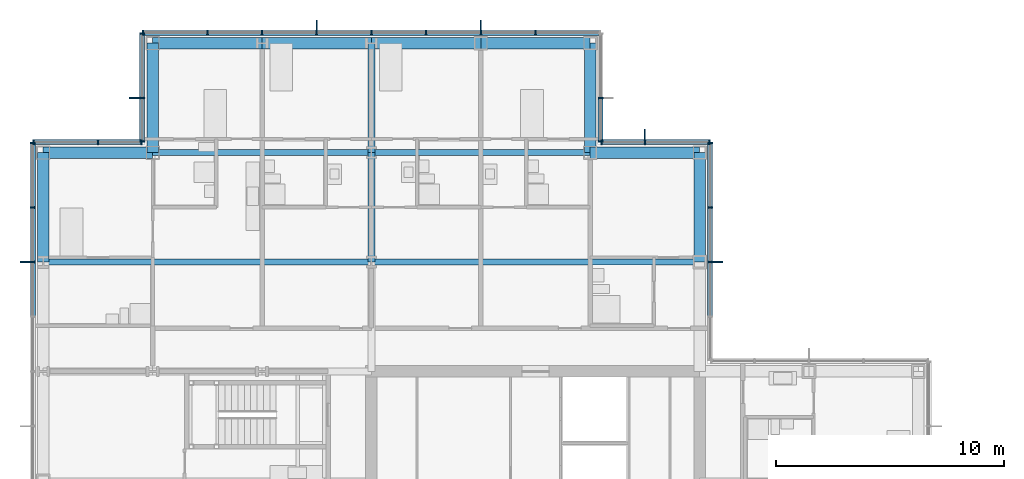
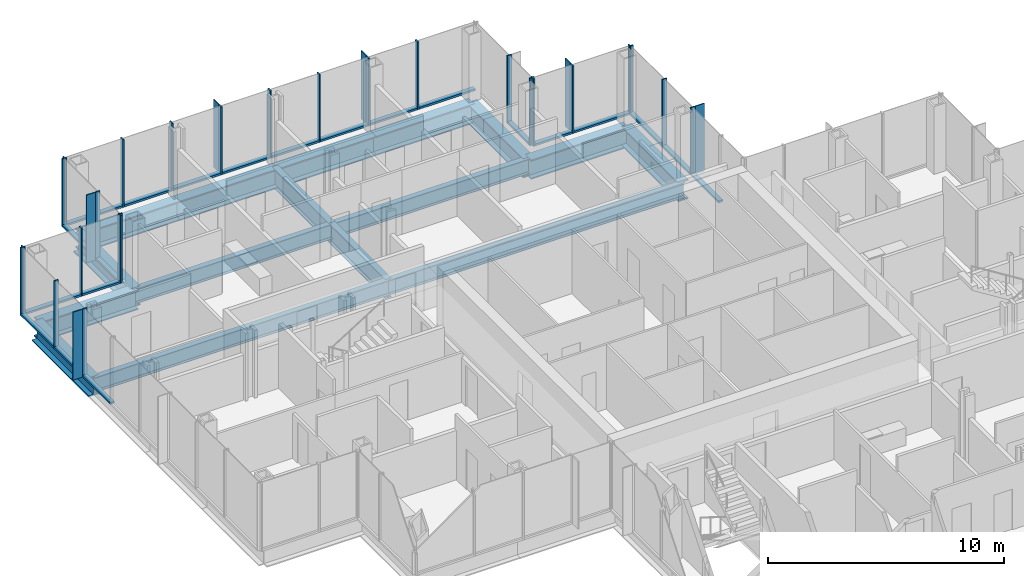
# One storey, part 10 of 20: 52 members, 16 beams, 7 elements without a shape of their own.
"""IFC4 building model written with IfcOpenShell, lengths in metres."""

from ifc_helpers import new_model, si_unit, direction, frame, origin, origin_2d, place, context, subcontext, project, spatial, rectangle, i_section, extrude, material, material_profile, profile_set, type_object, element, aggregate, save


model = new_model("IFC4")

# Units and contexts
model_context = context("Model", 3, precision=1e-05, world=origin(), true_north=direction((0.0, 1.0)))
body_context = subcontext(model_context, "Body", "Model", "MODEL_VIEW")
ifc_project = project(units=[si_unit("LENGTHUNIT", "METRE"), si_unit("AREAUNIT", "SQUARE_METRE"), si_unit("VOLUMEUNIT", "CUBIC_METRE"), si_unit("PLANEANGLEUNIT", "RADIAN"), si_unit("MASSUNIT", "GRAM", prefix="KILO")], contexts=[model_context])

# Site, building, storey
site_placement = place(None, origin())
site = spatial("IfcSite", under=ifc_project, at=site_placement, CompositionType="ELEMENT")
building_placement = place(site_placement, origin())
building = spatial("IfcBuilding", under=site, at=building_placement, Name="Kvirike Care Tower", CompositionType="ELEMENT")
storey_placement = place(building_placement, frame((0.0, 0.0, 115.5)))
storey = spatial("IfcBuildingStorey", under=building, at=storey_placement, Name="L31", CompositionType="ELEMENT", Elevation=115.5)

# Curtain wall, member
ifc_material_1 = material(Name="Anodised aluminium stick system", Category="aluminium")
curtain_wall_type = type_object("IfcCurtainWallType", Name="CW-B STICK CURTAIN WALL", PredefinedType="NOTDEFINED", material=ifc_material_1)
curtain_wall_1_placement = place(storey_placement, origin())
curtain_wall_1 = element("IfcCurtainWall", 1, at=curtain_wall_1_placement, inside=storey, type_object=curtain_wall_type, Name="Curtain wall L31 face 5", PredefinedType="NOTDEFINED")
ifc_material_2 = material(Name="Bronze anodised aluminium fin", Category="aluminium")
ifc_material_profile_1 = material_profile(ifc_material_2, rectangle(XDim=0.050048828125, YDim=0.449951171875, at=origin_2d()), Name="BRONZE FIN 450")
ifc_profile_set_1 = profile_set([ifc_material_profile_1], Name="Bronze anodised aluminium fin")
member_type_1 = type_object("IfcMemberType", Name="BRONZE FIN 450", PredefinedType="USERDEFINED", material=ifc_profile_set_1)
member_1_placement = place(storey_placement, frame((29.594970703125, 48.0, 0.0), z_axis=(0.0, 0.0, 1.0), x_axis=(0.0, 1.0, 0.0)))
member_1 = element("IfcMember", 2, at=member_1_placement, type_object=member_type_1, Name="Bronze fin L31 face 5.3", ObjectType="FIN", PredefinedType="USERDEFINED", context=body_context, shape_type="SweptSolid", body=[
    extrude(rectangle(XDim=0.050048828125, YDim=0.449951171875, at=origin_2d()), origin(), (0.0, 0.0, 1.0), 3.5),
])

curtain_wall_2_placement = place(storey_placement, origin())
curtain_wall_2 = element("IfcCurtainWall", 3, at=curtain_wall_2_placement, inside=storey, type_object=curtain_wall_type, Name="Curtain wall L31 face 6", PredefinedType="NOTDEFINED")
member_2_placement = place(storey_placement, frame((26.39990234375, 53.594970703125, 0.0), z_axis=(0.0, 0.0, 1.0), x_axis=(-1.0, 0.0, 0.0)))
member_2 = element("IfcMember", 4, at=member_2_placement, type_object=member_type_1, Name="Bronze fin L31 face 6.2", ObjectType="FIN", PredefinedType="USERDEFINED", context=body_context, shape_type="SweptSolid", body=[
    extrude(rectangle(XDim=0.050048828125, YDim=0.449951171875, at=origin_2d()), origin(), (0.0, 0.0, 1.0), 3.5),
])

# Curtain wall, members
curtain_wall_3_placement = place(storey_placement, origin())
curtain_wall_3 = element("IfcCurtainWall", 5, at=curtain_wall_3_placement, inside=storey, type_object=curtain_wall_type, Name="Curtain wall L31 face 8", PredefinedType="NOTDEFINED")
member_3_placement = place(storey_placement, frame((19.199951171875, 58.39501953125, 0.0), z_axis=(0.0, 0.0, 1.0), x_axis=(-1.0, 0.0, 0.0)))
member_3 = element("IfcMember", 6, at=member_3_placement, type_object=member_type_1, Name="Bronze fin L31 face 8.3", ObjectType="FIN", PredefinedType="USERDEFINED", context=body_context, shape_type="SweptSolid", body=[
    extrude(rectangle(XDim=0.050048828125, YDim=0.449951171875, at=origin_2d()), origin(), (0.0, 0.0, 1.0), 3.5),
])
member_4_placement = place(storey_placement, frame((12.0, 58.39501953125, 0.0), z_axis=(0.0, 0.0, 1.0), x_axis=(-1.0, 0.0, 0.0)))
member_4 = element("IfcMember", 7, at=member_4_placement, type_object=member_type_1, Name="Bronze fin L31 face 8.6", ObjectType="FIN", PredefinedType="USERDEFINED", context=body_context, shape_type="SweptSolid", body=[
    extrude(rectangle(XDim=0.050048828125, YDim=0.449951171875, at=origin_2d()), origin(), (0.0, 0.0, 1.0), 3.5),
])

# Curtain wall, member
curtain_wall_4_placement = place(storey_placement, origin())
curtain_wall_4 = element("IfcCurtainWall", 8, at=curtain_wall_4_placement, inside=storey, type_object=curtain_wall_type, Name="Curtain wall L31 face 9", PredefinedType="NOTDEFINED")
member_5_placement = place(storey_placement, frame((4.0048828125, 55.199951171875, 0.0), z_axis=(0.0, 0.0, 1.0), x_axis=(0.0, -1.0, 0.0)))
member_5 = element("IfcMember", 9, at=member_5_placement, type_object=member_type_1, Name="Bronze fin L31 face 9.2", ObjectType="FIN", PredefinedType="USERDEFINED", context=body_context, shape_type="SweptSolid", body=[
    extrude(rectangle(XDim=0.050048828125, YDim=0.449951171875, at=origin_2d()), origin(), (0.0, 0.0, 1.0), 3.5),
])

curtain_wall_5_placement = place(storey_placement, origin())
curtain_wall_5 = element("IfcCurtainWall", 10, at=curtain_wall_5_placement, inside=storey, type_object=curtain_wall_type, Name="Curtain wall L31 face 11", PredefinedType="NOTDEFINED")
member_6_placement = place(storey_placement, frame((-0.794921875, 48.0, 0.0), z_axis=(0.0, 0.0, 1.0), x_axis=(0.0, -1.0, 0.0)))
member_6 = element("IfcMember", 11, at=member_6_placement, type_object=member_type_1, Name="Bronze fin L31 face 11.3", ObjectType="FIN", PredefinedType="USERDEFINED", context=body_context, shape_type="SweptSolid", body=[
    extrude(rectangle(XDim=0.050048828125, YDim=0.449951171875, at=origin_2d()), origin(), (0.0, 0.0, 1.0), 3.5),
])

# Member
ifc_material_3 = material(Name="Bronze anodised aluminium mullion", Category="aluminium")
ifc_material_profile_2 = material_profile(ifc_material_3, rectangle(XDim=0.06494140625, YDim=0.219970703125, at=origin_2d()), Name="CW-B MULLION 65x220")
ifc_profile_set_2 = profile_set([ifc_material_profile_2], Name="Bronze anodised aluminium mullion")
member_type_2 = type_object("IfcMemberType", Name="CW-B MULLION 65x220", PredefinedType="MULLION", material=ifc_profile_set_2)
member_7_placement = place(storey_placement, frame((29.260009765625, 48.0, 0.0), z_axis=(0.0, 0.0, 1.0), x_axis=(0.0, 1.0, 0.0)))
member_7 = element("IfcMember", 12, at=member_7_placement, type_object=member_type_2, Name="CW-B mullion L31 face 5.3", PredefinedType="MULLION", context=body_context, shape_type="SweptSolid", body=[
    extrude(rectangle(XDim=0.06494140625, YDim=0.219970703125, at=origin_2d()), origin(), (0.0, 0.0, 1.0), 3.5),
])

member_8_placement = place(storey_placement, frame((29.260009765625, 50.39990234375, 0.0), z_axis=(0.0, 0.0, 1.0), x_axis=(0.0, 1.0, 0.0)))
member_8 = element("IfcMember", 13, at=member_8_placement, type_object=member_type_2, Name="CW-B mullion L31 face 5.4", PredefinedType="MULLION", context=body_context, shape_type="SweptSolid", body=[
    extrude(rectangle(XDim=0.06494140625, YDim=0.219970703125, at=origin_2d()), origin(), (0.0, 0.0, 1.0), 3.5),
])

member_9_placement = place(storey_placement, frame((29.260009765625, 53.2275390625, 0.0), z_axis=(0.0, 0.0, 1.0), x_axis=(0.0, 1.0, 0.0)))
member_9 = element("IfcMember", 14, at=member_9_placement, type_object=member_type_2, Name="CW-B mullion L31 face 5.5", PredefinedType="MULLION", context=body_context, shape_type="SweptSolid", body=[
    extrude(rectangle(XDim=0.06494140625, YDim=0.219970703125, at=origin_2d()), origin(), (0.0, 0.0, 1.0), 3.5),
])

member_10_placement = place(storey_placement, frame((29.2275390625, 53.260009765625, 0.0), z_axis=(0.0, 0.0, 1.0), x_axis=(-1.0, 0.0, 0.0)))
member_10 = element("IfcMember", 15, at=member_10_placement, type_object=member_type_2, Name="CW-B mullion L31 face 6.1", PredefinedType="MULLION", context=body_context, shape_type="SweptSolid", body=[
    extrude(rectangle(XDim=0.06494140625, YDim=0.219970703125, at=origin_2d()), origin(), (0.0, 0.0, 1.0), 3.5),
])

member_11_placement = place(storey_placement, frame((26.39990234375, 53.260009765625, 0.0), z_axis=(0.0, 0.0, 1.0), x_axis=(-1.0, 0.0, 0.0)))
member_11 = element("IfcMember", 16, at=member_11_placement, type_object=member_type_2, Name="CW-B mullion L31 face 6.2", PredefinedType="MULLION", context=body_context, shape_type="SweptSolid", body=[
    extrude(rectangle(XDim=0.06494140625, YDim=0.219970703125, at=origin_2d()), origin(), (0.0, 0.0, 1.0), 3.5),
])

member_12_placement = place(storey_placement, frame((24.492431640625, 53.260009765625, 0.0), z_axis=(0.0, 0.0, 1.0), x_axis=(-1.0, 0.0, 0.0)))
member_12 = element("IfcMember", 17, at=member_12_placement, type_object=member_type_2, Name="CW-B mullion L31 face 6.3", PredefinedType="MULLION", context=body_context, shape_type="SweptSolid", body=[
    extrude(rectangle(XDim=0.06494140625, YDim=0.219970703125, at=origin_2d()), origin(), (0.0, 0.0, 1.0), 3.5),
])

# Curtain wall, members
curtain_wall_6_placement = place(storey_placement, origin())
curtain_wall_6 = element("IfcCurtainWall", 18, at=curtain_wall_6_placement, inside=storey, type_object=curtain_wall_type, Name="Curtain wall L31 face 7", PredefinedType="NOTDEFINED")
member_13_placement = place(storey_placement, frame((24.4599609375, 53.29248046875, 0.0), z_axis=(0.0, 0.0, 1.0), x_axis=(0.0, 1.0, 0.0)))
member_13 = element("IfcMember", 19, at=member_13_placement, type_object=member_type_2, Name="CW-B mullion L31 face 7.1", PredefinedType="MULLION", context=body_context, shape_type="SweptSolid", body=[
    extrude(rectangle(XDim=0.06494140625, YDim=0.219970703125, at=origin_2d()), origin(), (0.0, 0.0, 1.0), 3.5),
])
member_14_placement = place(storey_placement, frame((24.4599609375, 55.199951171875, 0.0), z_axis=(0.0, 0.0, 1.0), x_axis=(0.0, 1.0, 0.0)))
member_14 = element("IfcMember", 20, at=member_14_placement, type_object=member_type_2, Name="CW-B mullion L31 face 7.2", PredefinedType="MULLION", context=body_context, shape_type="SweptSolid", body=[
    extrude(rectangle(XDim=0.06494140625, YDim=0.219970703125, at=origin_2d()), origin(), (0.0, 0.0, 1.0), 3.5),
])

# Member
member_15_placement = place(storey_placement, frame((21.60009765625, 58.06005859375, 0.0), z_axis=(0.0, 0.0, 1.0), x_axis=(-1.0, 0.0, 0.0)))
member_15 = element("IfcMember", 21, at=member_15_placement, type_object=member_type_2, Name="CW-B mullion L31 face 8.2", PredefinedType="MULLION", context=body_context, shape_type="SweptSolid", body=[
    extrude(rectangle(XDim=0.06494140625, YDim=0.219970703125, at=origin_2d()), origin(), (0.0, 0.0, 1.0), 3.5),
])

member_16_placement = place(storey_placement, frame((19.199951171875, 58.06005859375, 0.0), z_axis=(0.0, 0.0, 1.0), x_axis=(-1.0, 0.0, 0.0)))
member_16 = element("IfcMember", 22, at=member_16_placement, type_object=member_type_2, Name="CW-B mullion L31 face 8.3", PredefinedType="MULLION", context=body_context, shape_type="SweptSolid", body=[
    extrude(rectangle(XDim=0.06494140625, YDim=0.219970703125, at=origin_2d()), origin(), (0.0, 0.0, 1.0), 3.5),
])

member_17_placement = place(storey_placement, frame((16.800048828125, 58.06005859375, 0.0), z_axis=(0.0, 0.0, 1.0), x_axis=(-1.0, 0.0, 0.0)))
member_17 = element("IfcMember", 23, at=member_17_placement, type_object=member_type_2, Name="CW-B mullion L31 face 8.4", PredefinedType="MULLION", context=body_context, shape_type="SweptSolid", body=[
    extrude(rectangle(XDim=0.06494140625, YDim=0.219970703125, at=origin_2d()), origin(), (0.0, 0.0, 1.0), 3.5),
])

member_18_placement = place(storey_placement, frame((14.39990234375, 58.06005859375, 0.0), z_axis=(0.0, 0.0, 1.0), x_axis=(-1.0, 0.0, 0.0)))
member_18 = element("IfcMember", 24, at=member_18_placement, type_object=member_type_2, Name="CW-B mullion L31 face 8.5", PredefinedType="MULLION", context=body_context, shape_type="SweptSolid", body=[
    extrude(rectangle(XDim=0.06494140625, YDim=0.219970703125, at=origin_2d()), origin(), (0.0, 0.0, 1.0), 3.5),
])

member_19_placement = place(storey_placement, frame((12.0, 58.06005859375, 0.0), z_axis=(0.0, 0.0, 1.0), x_axis=(-1.0, 0.0, 0.0)))
member_19 = element("IfcMember", 25, at=member_19_placement, type_object=member_type_2, Name="CW-B mullion L31 face 8.6", PredefinedType="MULLION", context=body_context, shape_type="SweptSolid", body=[
    extrude(rectangle(XDim=0.06494140625, YDim=0.219970703125, at=origin_2d()), origin(), (0.0, 0.0, 1.0), 3.5),
])

member_20_placement = place(storey_placement, frame((9.60009765625, 58.06005859375, 0.0), z_axis=(0.0, 0.0, 1.0), x_axis=(-1.0, 0.0, 0.0)))
member_20 = element("IfcMember", 26, at=member_20_placement, type_object=member_type_2, Name="CW-B mullion L31 face 8.7", PredefinedType="MULLION", context=body_context, shape_type="SweptSolid", body=[
    extrude(rectangle(XDim=0.06494140625, YDim=0.219970703125, at=origin_2d()), origin(), (0.0, 0.0, 1.0), 3.5),
])

member_21_placement = place(storey_placement, frame((7.199951171875, 58.06005859375, 0.0), z_axis=(0.0, 0.0, 1.0), x_axis=(-1.0, 0.0, 0.0)))
member_21 = element("IfcMember", 27, at=member_21_placement, type_object=member_type_2, Name="CW-B mullion L31 face 8.8", PredefinedType="MULLION", context=body_context, shape_type="SweptSolid", body=[
    extrude(rectangle(XDim=0.06494140625, YDim=0.219970703125, at=origin_2d()), origin(), (0.0, 0.0, 1.0), 3.5),
])

member_22_placement = place(storey_placement, frame((4.37255859375, 58.06005859375, 0.0), z_axis=(0.0, 0.0, 1.0), x_axis=(-1.0, 0.0, 0.0)))
member_22 = element("IfcMember", 28, at=member_22_placement, type_object=member_type_2, Name="CW-B mullion L31 face 8.9", PredefinedType="MULLION", context=body_context, shape_type="SweptSolid", body=[
    extrude(rectangle(XDim=0.06494140625, YDim=0.219970703125, at=origin_2d()), origin(), (0.0, 0.0, 1.0), 3.5),
])

member_23_placement = place(storey_placement, frame((4.340087890625, 58.027587890625, 0.0), z_axis=(0.0, 0.0, 1.0), x_axis=(0.0, -1.0, 0.0)))
member_23 = element("IfcMember", 29, at=member_23_placement, type_object=member_type_2, Name="CW-B mullion L31 face 9.1", PredefinedType="MULLION", context=body_context, shape_type="SweptSolid", body=[
    extrude(rectangle(XDim=0.06494140625, YDim=0.219970703125, at=origin_2d()), origin(), (0.0, 0.0, 1.0), 3.5),
])

member_24_placement = place(storey_placement, frame((4.340087890625, 55.199951171875, 0.0), z_axis=(0.0, 0.0, 1.0), x_axis=(0.0, -1.0, 0.0)))
member_24 = element("IfcMember", 30, at=member_24_placement, type_object=member_type_2, Name="CW-B mullion L31 face 9.2", PredefinedType="MULLION", context=body_context, shape_type="SweptSolid", body=[
    extrude(rectangle(XDim=0.06494140625, YDim=0.219970703125, at=origin_2d()), origin(), (0.0, 0.0, 1.0), 3.5),
])

member_25_placement = place(storey_placement, frame((4.340087890625, 53.29248046875, 0.0), z_axis=(0.0, 0.0, 1.0), x_axis=(0.0, -1.0, 0.0)))
member_25 = element("IfcMember", 31, at=member_25_placement, type_object=member_type_2, Name="CW-B mullion L31 face 9.3", PredefinedType="MULLION", context=body_context, shape_type="SweptSolid", body=[
    extrude(rectangle(XDim=0.06494140625, YDim=0.219970703125, at=origin_2d()), origin(), (0.0, 0.0, 1.0), 3.5),
])

# Curtain wall, members
curtain_wall_7_placement = place(storey_placement, origin())
curtain_wall_7 = element("IfcCurtainWall", 32, at=curtain_wall_7_placement, inside=storey, type_object=curtain_wall_type, Name="Curtain wall L31 face 10", PredefinedType="NOTDEFINED")
member_26_placement = place(storey_placement, frame((4.3076171875, 53.260009765625, 0.0), z_axis=(0.0, 0.0, 1.0), x_axis=(-1.0, 0.0, 0.0)))
member_26 = element("IfcMember", 33, at=member_26_placement, type_object=member_type_2, Name="CW-B mullion L31 face 10.1", PredefinedType="MULLION", context=body_context, shape_type="SweptSolid", body=[
    extrude(rectangle(XDim=0.06494140625, YDim=0.219970703125, at=origin_2d()), origin(), (0.0, 0.0, 1.0), 3.5),
])
member_27_placement = place(storey_placement, frame((2.39990234375, 53.260009765625, 0.0), z_axis=(0.0, 0.0, 1.0), x_axis=(-1.0, 0.0, 0.0)))
member_27 = element("IfcMember", 34, at=member_27_placement, type_object=member_type_2, Name="CW-B mullion L31 face 10.2", PredefinedType="MULLION", context=body_context, shape_type="SweptSolid", body=[
    extrude(rectangle(XDim=0.06494140625, YDim=0.219970703125, at=origin_2d()), origin(), (0.0, 0.0, 1.0), 3.5),
])
member_28_placement = place(storey_placement, frame((-0.427490234375, 53.260009765625, 0.0), z_axis=(0.0, 0.0, 1.0), x_axis=(-1.0, 0.0, 0.0)))
member_28 = element("IfcMember", 35, at=member_28_placement, type_object=member_type_2, Name="CW-B mullion L31 face 10.3", PredefinedType="MULLION", context=body_context, shape_type="SweptSolid", body=[
    extrude(rectangle(XDim=0.06494140625, YDim=0.219970703125, at=origin_2d()), origin(), (0.0, 0.0, 1.0), 3.5),
])

# Member
member_29_placement = place(storey_placement, frame((-0.4599609375, 53.2275390625, 0.0), z_axis=(0.0, 0.0, 1.0), x_axis=(0.0, -1.0, 0.0)))
member_29 = element("IfcMember", 36, at=member_29_placement, type_object=member_type_2, Name="CW-B mullion L31 face 11.1", PredefinedType="MULLION", context=body_context, shape_type="SweptSolid", body=[
    extrude(rectangle(XDim=0.06494140625, YDim=0.219970703125, at=origin_2d()), origin(), (0.0, 0.0, 1.0), 3.5),
])

member_30_placement = place(storey_placement, frame((-0.4599609375, 50.39990234375, 0.0), z_axis=(0.0, 0.0, 1.0), x_axis=(0.0, -1.0, 0.0)))
member_30 = element("IfcMember", 37, at=member_30_placement, type_object=member_type_2, Name="CW-B mullion L31 face 11.2", PredefinedType="MULLION", context=body_context, shape_type="SweptSolid", body=[
    extrude(rectangle(XDim=0.06494140625, YDim=0.219970703125, at=origin_2d()), origin(), (0.0, 0.0, 1.0), 3.5),
])

member_31_placement = place(storey_placement, frame((-0.4599609375, 48.0, 0.0), z_axis=(0.0, 0.0, 1.0), x_axis=(0.0, -1.0, 0.0)))
member_31 = element("IfcMember", 38, at=member_31_placement, type_object=member_type_2, Name="CW-B mullion L31 face 11.3", PredefinedType="MULLION", context=body_context, shape_type="SweptSolid", body=[
    extrude(rectangle(XDim=0.06494140625, YDim=0.219970703125, at=origin_2d()), origin(), (0.0, 0.0, 1.0), 3.5),
])

ifc_material_4 = material(Name="Bronze anodised aluminium transom", Category="aluminium")
ifc_material_profile_3 = material_profile(ifc_material_4, rectangle(XDim=0.219970703125, YDim=0.10009765625, at=origin_2d()), Name="CW-B TRANSOM 220x100")
ifc_profile_set_3 = profile_set([ifc_material_profile_3], Name="Bronze anodised aluminium transom")
member_type_3 = type_object("IfcMemberType", Name="CW-B TRANSOM 220x100", PredefinedType="USERDEFINED", material=ifc_profile_set_3)
member_32_placement = place(storey_placement, frame((29.260009765625, 45.632568359375, 0.050048828125), z_axis=(0.0, 1.0, 0.0), x_axis=(-1.0, 0.0, 0.0)))
member_32 = element("IfcMember", 39, at=member_32_placement, type_object=member_type_3, Name="CW-B sill transom L31 face 5.2", ObjectType="TRANSOM", PredefinedType="USERDEFINED", context=body_context, shape_type="SweptSolid", body=[
    extrude(rectangle(XDim=0.219970703125, YDim=0.10009765625, at=origin_2d()), origin(), (0.0, 0.0, 1.0), 2.3349609375),
])

member_33_placement = place(storey_placement, frame((29.260009765625, 48.032470703125, 0.050048828125), z_axis=(0.0, 1.0, 0.0), x_axis=(-1.0, 0.0, 0.0)))
member_33 = element("IfcMember", 40, at=member_33_placement, type_object=member_type_3, Name="CW-B sill transom L31 face 5.3", ObjectType="TRANSOM", PredefinedType="USERDEFINED", context=body_context, shape_type="SweptSolid", body=[
    extrude(rectangle(XDim=0.219970703125, YDim=0.10009765625, at=origin_2d()), origin(), (0.0, 0.0, 1.0), 2.3349609375),
])

member_34_placement = place(storey_placement, frame((29.260009765625, 50.4326171875, 0.050048828125), z_axis=(0.0, 1.0, 0.0), x_axis=(-1.0, 0.0, 0.0)))
member_34 = element("IfcMember", 41, at=member_34_placement, type_object=member_type_3, Name="CW-B sill transom L31 face 5.4", ObjectType="TRANSOM", PredefinedType="USERDEFINED", context=body_context, shape_type="SweptSolid", body=[
    extrude(rectangle(XDim=0.219970703125, YDim=0.10009765625, at=origin_2d()), origin(), (0.0, 0.0, 1.0), 2.762451171875),
])

aggregate(curtain_wall_1, [member_7, member_1, member_8, member_9, member_32, member_33, member_34])

member_35_placement = place(storey_placement, frame((29.195068359375, 53.260009765625, 0.050048828125), z_axis=(-1.0, 0.0, 0.0), x_axis=(0.0, -1.0, 0.0)))
member_35 = element("IfcMember", 42, at=member_35_placement, type_object=member_type_3, Name="CW-B sill transom L31 face 6.1", ObjectType="TRANSOM", PredefinedType="USERDEFINED", context=body_context, shape_type="SweptSolid", body=[
    extrude(rectangle(XDim=0.219970703125, YDim=0.10009765625, at=origin_2d()), origin(), (0.0, 0.0, 1.0), 2.762451171875),
])

member_36_placement = place(storey_placement, frame((26.367431640625, 53.260009765625, 0.050048828125), z_axis=(-1.0, 0.0, 0.0), x_axis=(0.0, -1.0, 0.0)))
member_36 = element("IfcMember", 43, at=member_36_placement, type_object=member_type_3, Name="CW-B sill transom L31 face 6.2", ObjectType="TRANSOM", PredefinedType="USERDEFINED", context=body_context, shape_type="SweptSolid", body=[
    extrude(rectangle(XDim=0.219970703125, YDim=0.10009765625, at=origin_2d()), origin(), (0.0, 0.0, 1.0), 1.842529296875),
])

aggregate(curtain_wall_2, [member_10, member_11, member_2, member_12, member_35, member_36])

member_37_placement = place(storey_placement, frame((24.4599609375, 53.324951171875, 0.050048828125), z_axis=(0.0, 1.0, 0.0), x_axis=(-1.0, 0.0, 0.0)))
member_37 = element("IfcMember", 44, at=member_37_placement, type_object=member_type_3, Name="CW-B sill transom L31 face 7.1", ObjectType="TRANSOM", PredefinedType="USERDEFINED", context=body_context, shape_type="SweptSolid", body=[
    extrude(rectangle(XDim=0.219970703125, YDim=0.10009765625, at=origin_2d()), origin(), (0.0, 0.0, 1.0), 1.842529296875),
])

aggregate(curtain_wall_6, [member_13, member_14, member_37])

member_38_placement = place(storey_placement, frame((24.39501953125, 58.06005859375, 0.050048828125), z_axis=(-1.0, 0.0, 0.0), x_axis=(0.0, -1.0, 0.0)))
member_38 = element("IfcMember", 45, at=member_38_placement, type_object=member_type_3, Name="CW-B sill transom L31 face 8.1", ObjectType="TRANSOM", PredefinedType="USERDEFINED", context=body_context, shape_type="SweptSolid", body=[
    extrude(rectangle(XDim=0.219970703125, YDim=0.10009765625, at=origin_2d()), origin(), (0.0, 0.0, 1.0), 2.762451171875),
])

member_39_placement = place(storey_placement, frame((21.5673828125, 58.06005859375, 0.050048828125), z_axis=(-1.0, 0.0, 0.0), x_axis=(0.0, -1.0, 0.0)))
member_39 = element("IfcMember", 46, at=member_39_placement, type_object=member_type_3, Name="CW-B sill transom L31 face 8.2", ObjectType="TRANSOM", PredefinedType="USERDEFINED", context=body_context, shape_type="SweptSolid", body=[
    extrude(rectangle(XDim=0.219970703125, YDim=0.10009765625, at=origin_2d()), origin(), (0.0, 0.0, 1.0), 2.3349609375),
])

member_40_placement = place(storey_placement, frame((19.16748046875, 58.06005859375, 0.050048828125), z_axis=(-1.0, 0.0, 0.0), x_axis=(0.0, -1.0, 0.0)))
member_40 = element("IfcMember", 47, at=member_40_placement, type_object=member_type_3, Name="CW-B sill transom L31 face 8.3", ObjectType="TRANSOM", PredefinedType="USERDEFINED", context=body_context, shape_type="SweptSolid", body=[
    extrude(rectangle(XDim=0.219970703125, YDim=0.10009765625, at=origin_2d()), origin(), (0.0, 0.0, 1.0), 2.3349609375),
])

member_41_placement = place(storey_placement, frame((16.767578125, 58.06005859375, 0.050048828125), z_axis=(-1.0, 0.0, 0.0), x_axis=(0.0, -1.0, 0.0)))
member_41 = element("IfcMember", 48, at=member_41_placement, type_object=member_type_3, Name="CW-B sill transom L31 face 8.4", ObjectType="TRANSOM", PredefinedType="USERDEFINED", context=body_context, shape_type="SweptSolid", body=[
    extrude(rectangle(XDim=0.219970703125, YDim=0.10009765625, at=origin_2d()), origin(), (0.0, 0.0, 1.0), 2.3349609375),
])

member_42_placement = place(storey_placement, frame((14.367431640625, 58.06005859375, 0.050048828125), z_axis=(-1.0, 0.0, 0.0), x_axis=(0.0, -1.0, 0.0)))
member_42 = element("IfcMember", 49, at=member_42_placement, type_object=member_type_3, Name="CW-B sill transom L31 face 8.5", ObjectType="TRANSOM", PredefinedType="USERDEFINED", context=body_context, shape_type="SweptSolid", body=[
    extrude(rectangle(XDim=0.219970703125, YDim=0.10009765625, at=origin_2d()), origin(), (0.0, 0.0, 1.0), 2.3349609375),
])

member_43_placement = place(storey_placement, frame((11.967529296875, 58.06005859375, 0.050048828125), z_axis=(-1.0, 0.0, 0.0), x_axis=(0.0, -1.0, 0.0)))
member_43 = element("IfcMember", 50, at=member_43_placement, type_object=member_type_3, Name="CW-B sill transom L31 face 8.6", ObjectType="TRANSOM", PredefinedType="USERDEFINED", context=body_context, shape_type="SweptSolid", body=[
    extrude(rectangle(XDim=0.219970703125, YDim=0.10009765625, at=origin_2d()), origin(), (0.0, 0.0, 1.0), 2.3349609375),
])

member_44_placement = place(storey_placement, frame((9.5673828125, 58.06005859375, 0.050048828125), z_axis=(-1.0, 0.0, 0.0), x_axis=(0.0, -1.0, 0.0)))
member_44 = element("IfcMember", 51, at=member_44_placement, type_object=member_type_3, Name="CW-B sill transom L31 face 8.7", ObjectType="TRANSOM", PredefinedType="USERDEFINED", context=body_context, shape_type="SweptSolid", body=[
    extrude(rectangle(XDim=0.219970703125, YDim=0.10009765625, at=origin_2d()), origin(), (0.0, 0.0, 1.0), 2.3349609375),
])

member_45_placement = place(storey_placement, frame((7.16748046875, 58.06005859375, 0.050048828125), z_axis=(-1.0, 0.0, 0.0), x_axis=(0.0, -1.0, 0.0)))
member_45 = element("IfcMember", 52, at=member_45_placement, type_object=member_type_3, Name="CW-B sill transom L31 face 8.8", ObjectType="TRANSOM", PredefinedType="USERDEFINED", context=body_context, shape_type="SweptSolid", body=[
    extrude(rectangle(XDim=0.219970703125, YDim=0.10009765625, at=origin_2d()), origin(), (0.0, 0.0, 1.0), 2.762451171875),
])

aggregate(curtain_wall_3, [member_15, member_16, member_3, member_17, member_18, member_19, member_4, member_20, member_21, member_22, member_38, member_39, member_40, member_41, member_42, member_43, member_44, member_45])

member_46_placement = place(storey_placement, frame((4.340087890625, 57.9951171875, 0.050048828125), z_axis=(0.0, -1.0, 0.0), x_axis=(1.0, 0.0, 0.0)))
member_46 = element("IfcMember", 53, at=member_46_placement, type_object=member_type_3, Name="CW-B sill transom L31 face 9.1", ObjectType="TRANSOM", PredefinedType="USERDEFINED", context=body_context, shape_type="SweptSolid", body=[
    extrude(rectangle(XDim=0.219970703125, YDim=0.10009765625, at=origin_2d()), origin(), (0.0, 0.0, 1.0), 2.7626953125),
])

member_47_placement = place(storey_placement, frame((4.340087890625, 55.16748046875, 0.050048828125), z_axis=(0.0, -1.0, 0.0), x_axis=(1.0, 0.0, 0.0)))
member_47 = element("IfcMember", 54, at=member_47_placement, type_object=member_type_3, Name="CW-B sill transom L31 face 9.2", ObjectType="TRANSOM", PredefinedType="USERDEFINED", context=body_context, shape_type="SweptSolid", body=[
    extrude(rectangle(XDim=0.219970703125, YDim=0.10009765625, at=origin_2d()), origin(), (0.0, 0.0, 1.0), 1.842529296875),
])

aggregate(curtain_wall_4, [member_23, member_24, member_5, member_25, member_46, member_47])

member_48_placement = place(storey_placement, frame((4.27490234375, 53.260009765625, 0.050048828125), z_axis=(-1.0, 0.0, 0.0), x_axis=(0.0, -1.0, 0.0)))
member_48 = element("IfcMember", 55, at=member_48_placement, type_object=member_type_3, Name="CW-B sill transom L31 face 10.1", ObjectType="TRANSOM", PredefinedType="USERDEFINED", context=body_context, shape_type="SweptSolid", body=[
    extrude(rectangle(XDim=0.219970703125, YDim=0.10009765625, at=origin_2d()), origin(), (0.0, 0.0, 1.0), 1.84228515625),
])

member_49_placement = place(storey_placement, frame((2.367431640625, 53.260009765625, 0.050048828125), z_axis=(-1.0, 0.0, 0.0), x_axis=(0.0, -1.0, 0.0)))
member_49 = element("IfcMember", 56, at=member_49_placement, type_object=member_type_3, Name="CW-B sill transom L31 face 10.2", ObjectType="TRANSOM", PredefinedType="USERDEFINED", context=body_context, shape_type="SweptSolid", body=[
    extrude(rectangle(XDim=0.219970703125, YDim=0.10009765625, at=origin_2d()), origin(), (0.0, 0.0, 1.0), 2.762451171875),
])

aggregate(curtain_wall_7, [member_26, member_27, member_28, member_48, member_49])

member_50_placement = place(storey_placement, frame((-0.4599609375, 53.195068359375, 0.050048828125), z_axis=(0.0, -1.0, 0.0), x_axis=(1.0, 0.0, 0.0)))
member_50 = element("IfcMember", 57, at=member_50_placement, type_object=member_type_3, Name="CW-B sill transom L31 face 11.1", ObjectType="TRANSOM", PredefinedType="USERDEFINED", context=body_context, shape_type="SweptSolid", body=[
    extrude(rectangle(XDim=0.219970703125, YDim=0.10009765625, at=origin_2d()), origin(), (0.0, 0.0, 1.0), 2.762451171875),
])

member_51_placement = place(storey_placement, frame((-0.4599609375, 50.367431640625, 0.050048828125), z_axis=(0.0, -1.0, 0.0), x_axis=(1.0, 0.0, 0.0)))
member_51 = element("IfcMember", 58, at=member_51_placement, type_object=member_type_3, Name="CW-B sill transom L31 face 11.2", ObjectType="TRANSOM", PredefinedType="USERDEFINED", context=body_context, shape_type="SweptSolid", body=[
    extrude(rectangle(XDim=0.219970703125, YDim=0.10009765625, at=origin_2d()), origin(), (0.0, 0.0, 1.0), 2.3349609375),
])

member_52_placement = place(storey_placement, frame((-0.4599609375, 47.967529296875, 0.050048828125), z_axis=(0.0, -1.0, 0.0), x_axis=(1.0, 0.0, 0.0)))
member_52 = element("IfcMember", 59, at=member_52_placement, type_object=member_type_3, Name="CW-B sill transom L31 face 11.3", ObjectType="TRANSOM", PredefinedType="USERDEFINED", context=body_context, shape_type="SweptSolid", body=[
    extrude(rectangle(XDim=0.219970703125, YDim=0.10009765625, at=origin_2d()), origin(), (0.0, 0.0, 1.0), 2.3349609375),
])

aggregate(curtain_wall_5, [member_29, member_30, member_31, member_6, member_50, member_51, member_52])

# Beams
ifc_material_5 = material(Name="Steel S355", Category="steel")
ifc_material_profile_4 = material_profile(ifc_material_5, i_section(OverallWidth=0.26806640625, OverallDepth=0.77001953125, WebThickness=0.015625, FlangeThickness=0.025390625, FilletRadius=0.01708984375, at=origin_2d()), Name="IPE 750x196")
ifc_profile_set_4 = profile_set([ifc_material_profile_4], Name="Steel S355")
beam_type_1 = type_object("IfcBeamType", Name="FLOOR BEAM IPE 750x196", PredefinedType="BEAM", material=ifc_profile_set_4)
beam_1_placement = place(storey_placement, frame((0.0, 48.0, -0.554931640625), z_axis=(1.0, 0.0, 0.0), x_axis=(0.0, 1.0, 0.0)))
element("IfcBeam", 60, at=beam_1_placement, inside=storey, type_object=beam_type_1, Name="Floor Beam L3-L6 L31", PredefinedType="BEAM", context=body_context, shape_type="SweptSolid", body=[
    extrude(i_section(OverallWidth=0.26806640625, OverallDepth=0.77001953125, WebThickness=0.015625, FlangeThickness=0.025390625, FilletRadius=0.01708984375, at=origin_2d()), origin(), (0.0, 0.0, 1.0), 14.39990234375),
])
beam_2_placement = place(storey_placement, frame((14.39990234375, 48.0, -0.554931640625), z_axis=(1.0, 0.0, 0.0), x_axis=(0.0, 1.0, 0.0)))
element("IfcBeam", 61, at=beam_2_placement, inside=storey, type_object=beam_type_1, Name="Floor Beam L6-L9 L31", PredefinedType="BEAM", context=body_context, shape_type="SweptSolid", body=[
    extrude(i_section(OverallWidth=0.26806640625, OverallDepth=0.77001953125, WebThickness=0.015625, FlangeThickness=0.025390625, FilletRadius=0.01708984375, at=origin_2d()), origin(), (0.0, 0.0, 1.0), 14.400146484375),
])
beam_3_placement = place(storey_placement, frame((4.800048828125, 52.800048828125, -0.554931640625), z_axis=(1.0, 0.0, 0.0), x_axis=(0.0, 1.0, 0.0)))
element("IfcBeam", 62, at=beam_3_placement, inside=storey, type_object=beam_type_1, Name="Floor Beam M4-M6 L31", PredefinedType="BEAM", context=body_context, shape_type="SweptSolid", body=[
    extrude(i_section(OverallWidth=0.26806640625, OverallDepth=0.77001953125, WebThickness=0.015625, FlangeThickness=0.025390625, FilletRadius=0.01708984375, at=origin_2d()), origin(), (0.0, 0.0, 1.0), 9.599853515625),
])
beam_4_placement = place(storey_placement, frame((14.39990234375, 52.800048828125, -0.554931640625), z_axis=(1.0, 0.0, 0.0), x_axis=(0.0, 1.0, 0.0)))
element("IfcBeam", 63, at=beam_4_placement, inside=storey, type_object=beam_type_1, Name="Floor Beam M6-M8 L31", PredefinedType="BEAM", context=body_context, shape_type="SweptSolid", body=[
    extrude(i_section(OverallWidth=0.26806640625, OverallDepth=0.77001953125, WebThickness=0.015625, FlangeThickness=0.025390625, FilletRadius=0.01708984375, at=origin_2d()), origin(), (0.0, 0.0, 1.0), 9.60009765625),
])
ifc_material_6 = material(Name="Steel S355", Category="steel")
ifc_material_profile_5 = material_profile(ifc_material_6, i_section(OverallWidth=0.300048828125, OverallDepth=1.0, WebThickness=0.01904296875, FlangeThickness=0.035888671875, FilletRadius=0.030029296875, at=origin_2d()), Name="HE 1000 B")
ifc_profile_set_5 = profile_set([ifc_material_profile_5], Name="Steel S355")
beam_type_2 = type_object("IfcBeamType", Name="FRAME BEAM HE 1000 B", PredefinedType="BEAM", material=ifc_profile_set_5)
for number, where, z_axis, x_axis, name in (
    (64, (14.39990234375, 48.0, -0.669921875), (0.0, 1.0, 0.0), (-1.0, 0.0, 0.0), "Frame Beam L6-M6 L31"),
    (65, (14.39990234375, 52.800048828125, -0.669921875), (0.0, 1.0, 0.0), (-1.0, 0.0, 0.0), "Frame Beam M6-N6 L31"),
):
    element("IfcBeam", number, at=place(storey_placement, frame(where, z_axis=z_axis, x_axis=x_axis)), inside=storey, type_object=beam_type_2, Name=name, PredefinedType="BEAM", context=body_context, shape_type="SweptSolid", body=[
        extrude(i_section(OverallWidth=0.300048828125, OverallDepth=1.0, WebThickness=0.01904296875, FlangeThickness=0.035888671875, FilletRadius=0.030029296875, at=origin_2d()), origin(), (0.0, 0.0, 1.0), 4.800048828125),
    ])
ifc_material_7 = material(Name="Steel S355", Category="steel")
ifc_material_profile_6 = material_profile(ifc_material_7, i_section(OverallWidth=0.5, OverallDepth=1.0, WebThickness=0.030029296875, FlangeThickness=0.06005859375, at=origin_2d()), Name="PG 1000x500x30x60")
ifc_profile_set_6 = profile_set([ifc_material_profile_6], Name="Steel S355")
beam_type_3 = type_object("IfcBeamType", Name="SPANDREL PG 1000x500x30x60", PredefinedType="SPANDREL", material=ifc_profile_set_6)
for number, where, z_axis, x_axis, name in (
    (66, (0.0, 52.800048828125, -0.669921875), (1.0, 0.0, 0.0), (0.0, 1.0, 0.0), "Spandrel M3-M4 L31"),
    (67, (24.0, 52.800048828125, -0.669921875), (1.0, 0.0, 0.0), (0.0, 1.0, 0.0), "Spandrel M8-M9 L31"),
    (68, (4.800048828125, 57.60009765625, -0.669921875), (1.0, 0.0, 0.0), (0.0, 1.0, 0.0), "Spandrel N4-N5 L31"),
):
    element("IfcBeam", number, at=place(storey_placement, frame(where, z_axis=z_axis, x_axis=x_axis)), inside=storey, type_object=beam_type_3, Name=name, PredefinedType="SPANDREL", context=body_context, shape_type="SweptSolid", body=[
        extrude(i_section(OverallWidth=0.5, OverallDepth=1.0, WebThickness=0.030029296875, FlangeThickness=0.06005859375, at=origin_2d()), origin(), (0.0, 0.0, 1.0), 4.800048828125),
    ])
beam_5_placement = place(storey_placement, frame((9.60009765625, 57.60009765625, -0.669921875), z_axis=(1.0, 0.0, 0.0), x_axis=(0.0, 1.0, 0.0)))
element("IfcBeam", 69, at=beam_5_placement, inside=storey, type_object=beam_type_3, Name="Spandrel N5-N6 L31", PredefinedType="SPANDREL", context=body_context, shape_type="SweptSolid", body=[
    extrude(i_section(OverallWidth=0.5, OverallDepth=1.0, WebThickness=0.030029296875, FlangeThickness=0.06005859375, at=origin_2d()), origin(), (0.0, 0.0, 1.0), 4.7998046875),
])
for number, where, z_axis, x_axis, name in (
    (70, (14.39990234375, 57.60009765625, -0.669921875), (1.0, 0.0, 0.0), (0.0, 1.0, 0.0), "Spandrel N6-N7 L31"),
    (71, (19.199951171875, 57.60009765625, -0.669921875), (1.0, 0.0, 0.0), (0.0, 1.0, 0.0), "Spandrel N7-N8 L31"),
    (72, (0.0, 48.0, -0.669921875), (0.0, 1.0, 0.0), (-1.0, 0.0, 0.0), "Spandrel L3-M3 L31"),
    (73, (4.800048828125, 52.800048828125, -0.669921875), (0.0, 1.0, 0.0), (-1.0, 0.0, 0.0), "Spandrel M4-N4 L31"),
    (74, (24.0, 52.800048828125, -0.669921875), (0.0, 1.0, 0.0), (-1.0, 0.0, 0.0), "Spandrel M8-N8 L31"),
    (75, (28.800048828125, 48.0, -0.669921875), (0.0, 1.0, 0.0), (-1.0, 0.0, 0.0), "Spandrel L9-M9 L31"),
):
    element("IfcBeam", number, at=place(storey_placement, frame(where, z_axis=z_axis, x_axis=x_axis)), inside=storey, type_object=beam_type_3, Name=name, PredefinedType="SPANDREL", context=body_context, shape_type="SweptSolid", body=[
        extrude(i_section(OverallWidth=0.5, OverallDepth=1.0, WebThickness=0.030029296875, FlangeThickness=0.06005859375, at=origin_2d()), origin(), (0.0, 0.0, 1.0), 4.800048828125),
    ])

save(model, "model.ifc")
